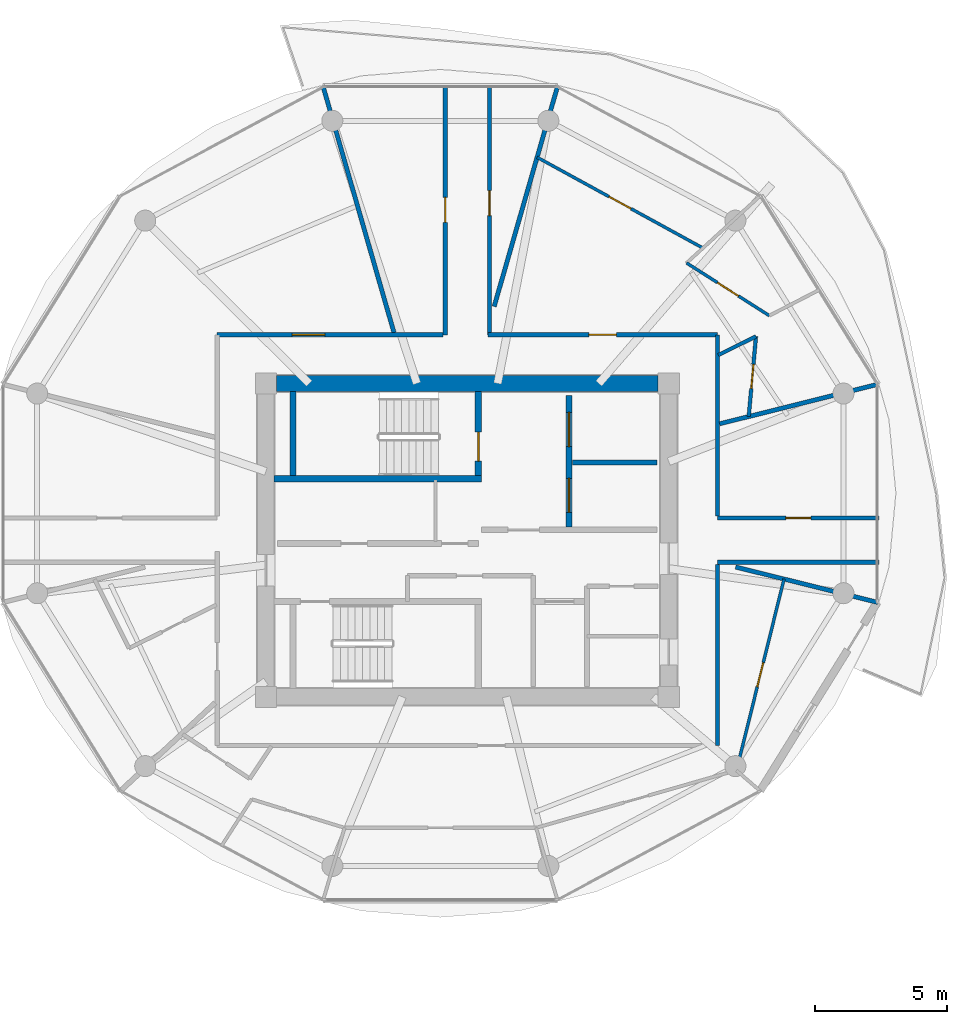
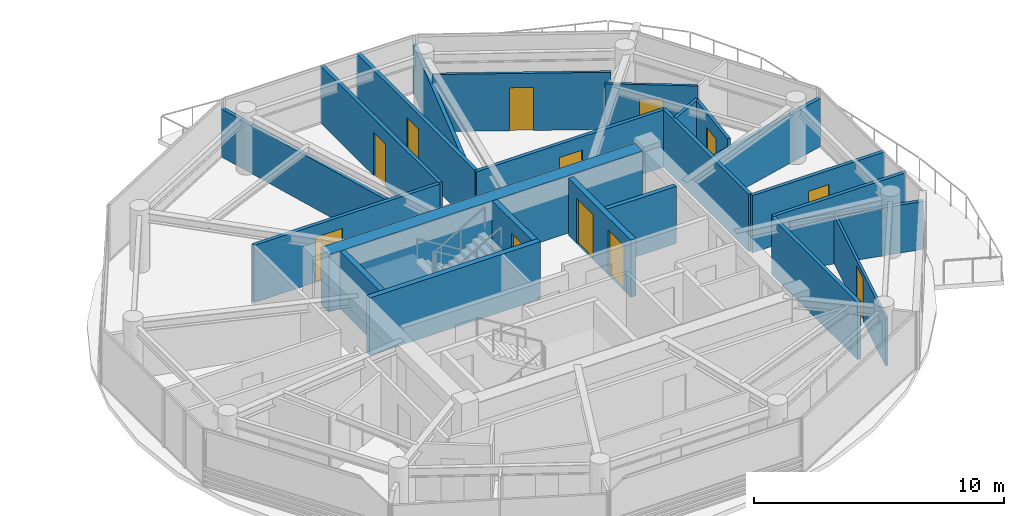
# One storey, part 16 of 22: 23 walls, 12 doors, 12 openings.
"""IFC4 building model written with IfcOpenShell, lengths in metres."""

from ifc_helpers import new_model, si_unit, direction, frame, frame_2d, origin, place, context, subcontext, project, spatial, rectangle, extrude, source, transform, mapped, material, layer, layer_set, type_object, type_shapes, element, fill, save


model = new_model("IFC4")

# Units and contexts
model_context = context("Model", 3, precision=1e-05, world=origin(), true_north=direction((0.0, 1.0)))
body_context = subcontext(model_context, "Body", "Model", "MODEL_VIEW")
ifc_project = project(units=[si_unit("LENGTHUNIT", "METRE"), si_unit("AREAUNIT", "SQUARE_METRE"), si_unit("VOLUMEUNIT", "CUBIC_METRE"), si_unit("PLANEANGLEUNIT", "RADIAN"), si_unit("MASSUNIT", "GRAM", prefix="KILO")], contexts=[model_context])

# Site, building, storey
site_placement = place(None, origin())
site = spatial("IfcSite", under=ifc_project, at=site_placement, CompositionType="ELEMENT")
building_placement = place(site_placement, origin())
building = spatial("IfcBuilding", under=site, at=building_placement, Name="Norrkilde Senior Care Towers", CompositionType="ELEMENT")
storey_placement = place(building_placement, frame((0.0, 0.0, 167.85009765625)))
storey = spatial("IfcBuildingStorey", under=building, at=storey_placement, Name="L52", CompositionType="ELEMENT", Elevation=167.85009765625)

# Wall
ifc_material_1 = material(Name="Concrete C50/60", Category="concrete")
ifc_layer_1 = layer(ifc_material_1, 0.6201171875)
ifc_layer_set_1 = layer_set([ifc_layer_1], Name="Concrete C50/60")
wall_type_1 = type_object("IfcWallType", Name="Core Shear Wall Z3 620", PredefinedType="SHEAR", material=ifc_layer_set_1)
shared_shape_1 = source(origin(), body_context, "Body", "SweptSolid", [
    extrude(rectangle(XDim=14.5, YDim=0.6201171875, at=frame_2d((7.25, 0.0))), origin(), (0.0, 0.0, 1.0), 2.809814453125),
])
type_shapes(wall_type_1, [shared_shape_1])
wall_1_placement = place(storey_placement, frame((20.75, 5.949951171875, 0.0), z_axis=(0.0, 0.0, 1.0), x_axis=(1.0, 0.0, 0.0)))
element("IfcWall", 1, at=wall_1_placement, inside=storey, type_object=wall_type_1, Name="L52 Core E North Shear Wall", PredefinedType="SHEAR", context=body_context, shape_type="MappedRepresentation", body=[
    mapped(shared_shape_1, transform((0.0, 0.0, 0.0), x_axis=(1.0, 0.0, 0.0), y_axis=(0.0, 1.0, 0.0), z_axis=(0.0, 0.0, 1.0), scale=1.0)),
])

# Wall, openings, doors
ifc_material_2 = material(Name="Concrete C45/55", Category="concrete")
ifc_layer_2 = layer(ifc_material_2, 0.239990234375)
ifc_layer_set_2 = layer_set([ifc_layer_2], Name="Concrete C45/55")
wall_type_2 = type_object("IfcWallType", Name="Lift and Plant Rated Enclosure Partition 240", PredefinedType="PARTITIONING", material=ifc_layer_set_2)
shared_shape_2 = source(origin(), body_context, "Body", "SweptSolid", [
    extrude(rectangle(XDim=5.0, YDim=0.239990234375, at=frame_2d((2.5, 0.0))), origin(), (0.0, 0.0, 1.0), 2.794921875),
])
type_shapes(wall_type_2, [shared_shape_2])
wall_2_placement = place(storey_placement, frame((31.860107421875, 0.5, 0.0), z_axis=(0.0, 0.0, 1.0), x_axis=(0.0, 1.0, 0.0)))
wall_2 = element("IfcWall", 2, at=wall_2_placement, inside=storey, type_object=wall_type_2, Name="WL-INT-L52-E-FFLE", PredefinedType="PARTITIONING", context=body_context, shape_type="MappedRepresentation", body=[
    mapped(shared_shape_2, transform((0.0, 0.0, 0.0), x_axis=(1.0, 0.0, 0.0), y_axis=(0.0, 1.0, 0.0), z_axis=(0.0, 0.0, 1.0), scale=1.0)),
])
opening_1_placement = place(wall_2_placement, frame((3.050048828125, 0.0, 0.0)))
opening_1 = element("IfcOpeningElement", 3, at=opening_1_placement, cuts=wall_2, Name="Opening LD-02", PredefinedType="OPENING", context=body_context, shape_type="SweptSolid", body=[
    extrude(rectangle(XDim=1.300048828125, YDim=2.199951171875, at=frame_2d((0.64990234375, 1.10009765625))), frame((0.0, 0.1298828125, 0.0), z_axis=(0.0, -1.0, 0.0), x_axis=(1.0, 0.0, 0.0)), (0.0, 0.0, 1.0), 0.260009765625),
])
opening_2_placement = place(wall_2_placement, frame((0.550048828125, 0.0, 0.0)))
opening_2 = element("IfcOpeningElement", 4, at=opening_2_placement, cuts=wall_2, Name="Opening LD-02", PredefinedType="OPENING", context=body_context, shape_type="SweptSolid", body=[
    extrude(rectangle(XDim=1.300048828125, YDim=2.199951171875, at=frame_2d((0.64990234375, 1.10009765625))), frame((0.0, 0.1298828125, 0.0), z_axis=(0.0, -1.0, 0.0), x_axis=(1.0, 0.0, 0.0)), (0.0, 0.0, 1.0), 0.260009765625),
])
ifc_material_3 = material(Name="Stainless Steel", Category="steel")
door_type_1 = type_object("IfcDoorType", Name="Stretcher and FFL Landing Sliding Door 1300x2200", OperationType="NOTDEFINED", PredefinedType="DOOR", material=ifc_material_3)
shared_shape_3 = source(origin(), body_context, "Body", "SweptSolid", [
    extrude(rectangle(XDim=1.300048828125, YDim=2.199951171875, at=frame_2d((0.64990234375, 1.10009765625))), frame((0.0, 0.02490234375, 0.0), z_axis=(0.0, -1.0, 0.0), x_axis=(1.0, 0.0, 0.0)), (0.0, 0.0, 1.0), 0.050048828125),
])
type_shapes(door_type_1, [shared_shape_3])
door_1_placement = place(opening_1_placement, origin())
door_1 = element("IfcDoor", 5, at=door_1_placement, inside=storey, type_object=door_type_1, Name="L52 Firefighting Lift E1 Landing Door", OperationType="SLIDING_TO_LEFT", OverallHeight=2.199951171875, OverallWidth=1.300048828125, PredefinedType="DOOR", context=body_context, shape_type="MappedRepresentation", body=[
    mapped(shared_shape_3, transform((0.0, 0.0, 0.0), x_axis=(1.0, 0.0, 0.0), y_axis=(0.0, 1.0, 0.0), z_axis=(0.0, 0.0, 1.0), scale=1.0)),
])
fill(opening_1, door_1)
door_2_placement = place(opening_2_placement, origin())
door_2 = element("IfcDoor", 6, at=door_2_placement, inside=storey, type_object=door_type_1, Name="L52 Stretcher Lift E1 Landing Door", OperationType="SLIDING_TO_RIGHT", OverallHeight=2.199951171875, OverallWidth=1.300048828125, PredefinedType="DOOR", context=body_context, shape_type="MappedRepresentation", body=[
    mapped(shared_shape_3, transform((0.0, 0.0, 0.0), x_axis=(1.0, 0.0, 0.0), y_axis=(0.0, 1.0, 0.0), z_axis=(0.0, 0.0, 1.0), scale=1.0)),
])
fill(opening_2, door_2)

# Walls
ifc_layer_3 = layer(ifc_material_2, 0.199951171875)
ifc_layer_set_3 = layer_set([ifc_layer_3], Name="Concrete C45/55")
wall_type_3 = type_object("IfcWallType", Name="Shaft Division and Plant Partition 200", PredefinedType="PARTITIONING", material=ifc_layer_set_3)
shared_shape_4 = source(origin(), body_context, "Body", "SweptSolid", [
    extrude(rectangle(XDim=3.199951171875, YDim=0.199951171875, at=frame_2d((1.60009765625, 0.0))), origin(), (0.0, 0.0, 1.0), 2.794921875),
])
type_shapes(wall_type_3, [shared_shape_4])
wall_3_placement = place(storey_placement, frame((32.0, 2.949951171875, 0.0), z_axis=(0.0, 0.0, 1.0), x_axis=(1.0, 0.0, 0.0)))
element("IfcWall", 7, at=wall_3_placement, inside=storey, type_object=wall_type_3, Name="WL-INT-L52-E-FFLDIV", PredefinedType="PARTITIONING", context=body_context, shape_type="MappedRepresentation", body=[
    mapped(shared_shape_4, transform((0.0, 0.0, 0.0), x_axis=(1.0, 0.0, 0.0), y_axis=(0.0, 1.0, 0.0), z_axis=(0.0, 0.0, 1.0), scale=1.0)),
])
ifc_material_4 = material(Name="Gypsum Acoustic Board")
ifc_layer_4 = layer(ifc_material_4, 0.1650390625)
ifc_layer_set_4 = layer_set([ifc_layer_4], Name="Gypsum Acoustic Board")
wall_type_4 = type_object("IfcWallType", Name="Corridor Rated Partition 165", PredefinedType="PARTITIONING", material=ifc_layer_set_4)
shared_shape_5 = source(origin(), body_context, "Body", "SweptSolid", [
    extrude(rectangle(XDim=9.73046875, YDim=0.1650390625, at=frame_2d((4.865234375, 0.0))), origin(), (0.0, 0.0, 1.0), 2.344970703125),
])
wall_4_placement = place(storey_placement, frame((25.216552734375, 7.8798828125, 0.0), z_axis=(0.0, 0.0, 1.0), x_axis=(-0.27679492614, 0.960929013436, 0.0)))
element("IfcWall", 8, at=wall_4_placement, inside=storey, type_object=wall_type_4, Name="WL-INT-L52-E-DEM-03-0", PredefinedType="PARTITIONING", context=body_context, shape_type="MappedRepresentation", body=[
    mapped(shared_shape_5, transform((0.0, 0.0, 0.0), x_axis=(1.0, 0.0, 0.0), y_axis=(0.0, 1.0, 0.0), z_axis=(0.0, 0.0, 1.0), scale=1.0)),
])

# Wall, opening, door
shared_shape_6 = source(origin(), body_context, "Body", "SweptSolid", [
    extrude(rectangle(XDim=8.719482421875, YDim=0.1650390625, at=frame_2d((4.35986328125, 0.0))), origin(), (0.0, 0.0, 1.0), 2.794921875),
])
wall_5_placement = place(storey_placement, frame((28.780517578125, 7.800048828125, 0.0), z_axis=(0.0, 0.0, 1.0), x_axis=(1.0, 0.0, 0.0)))
wall_5 = element("IfcWall", 9, at=wall_5_placement, inside=storey, type_object=wall_type_4, Name="WL-INT-L52-E-CRW-N-1", PredefinedType="PARTITIONING", context=body_context, shape_type="MappedRepresentation", body=[
    mapped(shared_shape_6, transform((0.0, 0.0, 0.0), x_axis=(1.0, 0.0, 0.0), y_axis=(0.0, 1.0, 0.0), z_axis=(0.0, 0.0, 1.0), scale=1.0)),
])
opening_3_placement = place(wall_5_placement, frame((3.834716796875, 0.0, 0.0)))
opening_3 = element("IfcOpeningElement", 10, at=opening_3_placement, cuts=wall_5, Name="Opening D-06", PredefinedType="OPENING", context=body_context, shape_type="SweptSolid", body=[
    extrude(rectangle(XDim=1.050048828125, YDim=2.14990234375, at=frame_2d((0.52490234375, 1.074951171875))), frame((0.0, 0.092529296875, 0.0), z_axis=(0.0, -1.0, 0.0), x_axis=(1.0, 0.0, 0.0)), (0.0, 0.0, 1.0), 0.18505859375),
])
ifc_material_5 = material(Name="Nordic Ash Timber", Category="wood")
door_type_2 = type_object("IfcDoorType", Name="Apartment Entrance Fire Door 1050x2150", OperationType="NOTDEFINED", PredefinedType="DOOR", material=ifc_material_5)
shared_shape_7 = source(origin(), body_context, "Body", "SweptSolid", [
    extrude(rectangle(XDim=1.050048828125, YDim=2.14990234375, at=frame_2d((0.52490234375, 1.074951171875))), frame((0.0, 0.02490234375, 0.0), z_axis=(0.0, -1.0, 0.0), x_axis=(1.0, 0.0, 0.0)), (0.0, 0.0, 1.0), 0.050048828125),
])
type_shapes(door_type_2, [shared_shape_7])
door_3_placement = place(opening_3_placement, frame((1.050048828125, 0.0, 0.0), z_axis=(0.0, 0.0, 1.0), x_axis=(-1.0, 0.0, 0.0)))
door_3 = element("IfcDoor", 11, at=door_3_placement, inside=storey, type_object=door_type_2, Name="Apartment 52A Entrance Door", OperationType="SINGLE_SWING_LEFT", OverallHeight=2.14990234375, OverallWidth=1.050048828125, PredefinedType="DOOR", context=body_context, shape_type="MappedRepresentation", body=[
    mapped(shared_shape_7, transform((0.0, 0.0, 0.0), x_axis=(1.0, 0.0, 0.0), y_axis=(0.0, 1.0, 0.0), z_axis=(0.0, 0.0, 1.0), scale=1.0)),
])
fill(opening_3, door_3)

ifc_layer_5 = layer(ifc_material_4, 0.114990234375)
ifc_layer_set_5 = layer_set([ifc_layer_5], Name="Gypsum Acoustic Board")
wall_type_5 = type_object("IfcWallType", Name="Internal Room Partition 115", PredefinedType="PARTITIONING", material=ifc_layer_set_5)
shared_shape_8 = source(origin(), body_context, "Body", "SweptSolid", [
    extrude(rectangle(XDim=7.166748046875, YDim=0.114990234375, at=frame_2d((3.58349609375, 0.0))), origin(), (0.0, 0.0, 1.0), 2.794921875),
])
wall_6_placement = place(storey_placement, frame((36.93896484375, 11.097900390625, 0.0), z_axis=(0.0, 0.0, 1.0), x_axis=(-0.8771628907, 0.480192943699, 0.0)))
wall_6 = element("IfcWall", 12, at=wall_6_placement, inside=storey, type_object=wall_type_5, Name="WL-INT-L52-E-UBC-00-1", PredefinedType="PARTITIONING", context=body_context, shape_type="MappedRepresentation", body=[
    mapped(shared_shape_8, transform((0.0, 0.0, 0.0), x_axis=(1.0, 0.0, 0.0), y_axis=(0.0, 1.0, 0.0), z_axis=(0.0, 0.0, 1.0), scale=1.0)),
])
opening_4_placement = place(wall_6_placement, frame((3.1083984375, 0.0, 0.0)))
opening_4 = element("IfcOpeningElement", 13, at=opening_4_placement, cuts=wall_6, Name="Opening D-07", PredefinedType="OPENING", context=body_context, shape_type="SweptSolid", body=[
    extrude(rectangle(XDim=0.949951171875, YDim=2.10009765625, at=frame_2d((0.47509765625, 1.050048828125))), frame((0.0, 0.0673828125, 0.0), z_axis=(0.0, -1.0, 0.0), x_axis=(1.0, 0.0, 0.0)), (0.0, 0.0, 1.0), 0.135009765625),
])
door_type_3 = type_object("IfcDoorType", Name="Internal Suite Bedroom Door 950x2100", OperationType="NOTDEFINED", PredefinedType="DOOR", material=ifc_material_5)
shared_shape_9 = source(origin(), body_context, "Body", "SweptSolid", [
    extrude(rectangle(XDim=0.949951171875, YDim=2.10009765625, at=frame_2d((0.47509765625, 1.050048828125))), frame((0.0, 0.02490234375, 0.0), z_axis=(0.0, -1.0, 0.0), x_axis=(1.0, 0.0, 0.0)), (0.0, 0.0, 1.0), 0.050048828125),
])
type_shapes(door_type_3, [shared_shape_9])
door_4_placement = place(opening_4_placement, origin())
door_4 = element("IfcDoor", 14, at=door_4_placement, inside=storey, type_object=door_type_3, Name="Apartment 52A Bedroom 1 Door", OperationType="SINGLE_SWING_RIGHT", OverallHeight=2.10009765625, OverallWidth=0.949951171875, PredefinedType="DOOR", context=body_context, shape_type="MappedRepresentation", body=[
    mapped(shared_shape_9, transform((0.0, 0.0, 0.0), x_axis=(1.0, 0.0, 0.0), y_axis=(0.0, 1.0, 0.0), z_axis=(0.0, 0.0, 1.0), scale=1.0)),
])
fill(opening_4, door_4)

# Walls
ifc_layer_6 = layer(ifc_material_2, 0.239990234375)
ifc_layer_set_6 = layer_set([ifc_layer_6], Name="Concrete C45/55")
wall_type_6 = type_object("IfcWallType", Name="Shaft and Stair Enclosure Wall 240", PredefinedType="PARTITIONING", material=ifc_layer_set_6)
shared_shape_10 = source(origin(), body_context, "Body", "SweptSolid", [
    extrude(rectangle(XDim=7.880126953125, YDim=0.239990234375, at=frame_2d((3.93994140625, 0.0))), origin(), (0.0, 0.0, 1.0), 2.809814453125),
])
wall_7_placement = place(storey_placement, frame((20.659912109375, 2.330078125, 0.0), z_axis=(0.0, 0.0, 1.0), x_axis=(1.0, 0.0, 0.0)))
element("IfcWall", 15, at=wall_7_placement, inside=storey, type_object=wall_type_6, Name="WL-INT-L52-E-ST1S", PredefinedType="PARTITIONING", context=body_context, shape_type="MappedRepresentation", body=[
    mapped(shared_shape_10, transform((0.0, 0.0, 0.0), x_axis=(1.0, 0.0, 0.0), y_axis=(0.0, 1.0, 0.0), z_axis=(0.0, 0.0, 1.0), scale=1.0)),
])
shared_shape_11 = source(origin(), body_context, "Body", "SweptSolid", [
    extrude(rectangle(XDim=3.18994140625, YDim=0.239990234375, at=frame_2d((1.594970703125, 0.0))), origin(), (0.0, 0.0, 1.0), 2.809814453125),
])
type_shapes(wall_type_6, [shared_shape_10, shared_shape_11])
wall_8_placement = place(storey_placement, frame((21.3798828125, 2.449951171875, 0.0), z_axis=(0.0, 0.0, 1.0), x_axis=(0.0, 1.0, 0.0)))
element("IfcWall", 16, at=wall_8_placement, inside=storey, type_object=wall_type_6, Name="WL-INT-L52-E-ST1W", PredefinedType="PARTITIONING", context=body_context, shape_type="MappedRepresentation", body=[
    mapped(shared_shape_11, transform((0.0, 0.0, 0.0), x_axis=(1.0, 0.0, 0.0), y_axis=(0.0, 1.0, 0.0), z_axis=(0.0, 0.0, 1.0), scale=1.0)),
])

# Wall, opening, door
wall_9_placement = place(storey_placement, frame((28.419921875, 2.449951171875, 0.0), z_axis=(0.0, 0.0, 1.0), x_axis=(0.0, 1.0, 0.0)))
wall_9 = element("IfcWall", 17, at=wall_9_placement, inside=storey, type_object=wall_type_6, Name="WL-INT-L52-E-ST1E", PredefinedType="PARTITIONING", context=body_context, shape_type="MappedRepresentation", body=[
    mapped(shared_shape_11, transform((0.0, 0.0, 0.0), x_axis=(1.0, 0.0, 0.0), y_axis=(0.0, 1.0, 0.0), z_axis=(0.0, 0.0, 1.0), scale=1.0)),
])
opening_5_placement = place(wall_9_placement, frame((0.550048828125, 0.0, 0.0)))
opening_5 = element("IfcOpeningElement", 18, at=opening_5_placement, cuts=wall_9, Name="Opening D-03", PredefinedType="OPENING", context=body_context, shape_type="SweptSolid", body=[
    extrude(rectangle(XDim=1.10009765625, YDim=2.14990234375, at=frame_2d((0.550048828125, 1.074951171875))), frame((0.0, 0.1298828125, 0.0), z_axis=(0.0, -1.0, 0.0), x_axis=(1.0, 0.0, 0.0)), (0.0, 0.0, 1.0), 0.260009765625),
])
ifc_material_6 = material(Name="Galvanised Painted Steel", Category="steel")
door_type_4 = type_object("IfcDoorType", Name="Stairwell Protected Fire Door 1100x2150", OperationType="NOTDEFINED", PredefinedType="DOOR", material=ifc_material_6)
shared_shape_12 = source(origin(), body_context, "Body", "SweptSolid", [
    extrude(rectangle(XDim=1.10009765625, YDim=2.14990234375, at=frame_2d((0.550048828125, 1.074951171875))), frame((0.0, 0.02490234375, 0.0), z_axis=(0.0, -1.0, 0.0), x_axis=(1.0, 0.0, 0.0)), (0.0, 0.0, 1.0), 0.050048828125),
])
type_shapes(door_type_4, [shared_shape_12])
door_5_placement = place(opening_5_placement, origin())
door_5 = element("IfcDoor", 19, at=door_5_placement, inside=storey, type_object=door_type_4, Name="L52 Stair E1 Fire Door", OperationType="SINGLE_SWING_LEFT", OverallHeight=2.14990234375, OverallWidth=1.10009765625, PredefinedType="DOOR", context=body_context, shape_type="MappedRepresentation", body=[
    mapped(shared_shape_12, transform((0.0, 0.0, 0.0), x_axis=(1.0, 0.0, 0.0), y_axis=(0.0, 1.0, 0.0), z_axis=(0.0, 0.0, 1.0), scale=1.0)),
])
fill(opening_5, door_5)

# Walls
shared_shape_13 = source(origin(), body_context, "Body", "SweptSolid", [
    extrude(rectangle(XDim=8.695068359375, YDim=0.1650390625, at=frame_2d((4.34765625, 0.0))), origin(), (0.0, 0.0, 1.0), 2.344970703125),
])
wall_10_placement = place(storey_placement, frame((29.02001953125, 8.875, 0.0), z_axis=(0.0, 0.0, 1.0), x_axis=(0.276797231892, 0.960928349263, 0.0)))
element("IfcWall", 20, at=wall_10_placement, inside=storey, type_object=wall_type_4, Name="WL-INT-L52-E-DEM-02-0", PredefinedType="PARTITIONING", context=body_context, shape_type="MappedRepresentation", body=[
    mapped(shared_shape_13, transform((0.0, 0.0, 0.0), x_axis=(1.0, 0.0, 0.0), y_axis=(0.0, 1.0, 0.0), z_axis=(0.0, 0.0, 1.0), scale=1.0)),
])
shared_shape_14 = source(origin(), body_context, "Body", "SweptSolid", [
    extrude(rectangle(XDim=6.192626953125, YDim=0.1650390625, at=frame_2d((3.09619140625, 0.0))), origin(), (0.0, 0.0, 1.0), 2.344970703125),
])
wall_11_placement = place(storey_placement, frame((37.580078125, 4.418701171875, 0.0), z_axis=(0.0, 0.0, 1.0), x_axis=(0.970309243466, 0.241867674657, 0.0)))
element("IfcWall", 21, at=wall_11_placement, inside=storey, type_object=wall_type_4, Name="WL-INT-L52-E-DEM-00-0", PredefinedType="PARTITIONING", context=body_context, shape_type="MappedRepresentation", body=[
    mapped(shared_shape_14, transform((0.0, 0.0, 0.0), x_axis=(1.0, 0.0, 0.0), y_axis=(0.0, 1.0, 0.0), z_axis=(0.0, 0.0, 1.0), scale=1.0)),
])
shared_shape_15 = source(origin(), body_context, "Body", "SweptSolid", [
    extrude(rectangle(XDim=5.564208984375, YDim=0.1650390625, at=frame_2d((2.7822265625, 0.0))), origin(), (0.0, 0.0, 1.0), 2.344970703125),
])
wall_12_placement = place(storey_placement, frame((38.18994140625, -1.02001953125, 0.0), z_axis=(0.0, 0.0, 1.0), x_axis=(0.97031260977, -0.241854169533, 0.0)))
element("IfcWall", 22, at=wall_12_placement, inside=storey, type_object=wall_type_4, Name="WL-INT-L52-E-DEM-11-0", PredefinedType="PARTITIONING", context=body_context, shape_type="MappedRepresentation", body=[
    mapped(shared_shape_15, transform((0.0, 0.0, 0.0), x_axis=(1.0, 0.0, 0.0), y_axis=(0.0, 1.0, 0.0), z_axis=(0.0, 0.0, 1.0), scale=1.0)),
])

# Wall, opening, door
shared_shape_16 = source(origin(), body_context, "Body", "SweptSolid", [
    extrude(rectangle(XDim=8.580078125, YDim=0.1650390625, at=frame_2d((4.2900390625, 0.0))), origin(), (0.0, 0.0, 1.0), 2.794921875),
])
wall_13_placement = place(storey_placement, frame((18.5, 7.800048828125, 0.0), z_axis=(0.0, 0.0, 1.0), x_axis=(1.0, 0.0, 0.0)))
wall_13 = element("IfcWall", 23, at=wall_13_placement, inside=storey, type_object=wall_type_4, Name="WL-INT-L52-E-CRW-N-0", PredefinedType="PARTITIONING", context=body_context, shape_type="MappedRepresentation", body=[
    mapped(shared_shape_16, transform((0.0, 0.0, 0.0), x_axis=(1.0, 0.0, 0.0), y_axis=(0.0, 1.0, 0.0), z_axis=(0.0, 0.0, 1.0), scale=1.0)),
])
opening_6_placement = place(wall_13_placement, frame((2.8427734375, 0.0, 0.0)))
opening_6 = element("IfcOpeningElement", 24, at=opening_6_placement, cuts=wall_13, Name="Opening D-05", PredefinedType="OPENING", context=body_context, shape_type="SweptSolid", body=[
    extrude(rectangle(XDim=1.25, YDim=2.199951171875, at=frame_2d((0.625, 1.10009765625))), frame((0.0, 0.092529296875, 0.0), z_axis=(0.0, -1.0, 0.0), x_axis=(1.0, 0.0, 0.0)), (0.0, 0.0, 1.0), 0.18505859375),
])
door_type_5 = type_object("IfcDoorType", Name="Care Bedroom Bariatric Door 1250x2200", OperationType="NOTDEFINED", PredefinedType="DOOR", material=ifc_material_5)
shared_shape_17 = source(origin(), body_context, "Body", "SweptSolid", [
    extrude(rectangle(XDim=1.25, YDim=2.199951171875, at=frame_2d((0.625, 1.10009765625))), frame((0.0, 0.02490234375, 0.0), z_axis=(0.0, -1.0, 0.0), x_axis=(1.0, 0.0, 0.0)), (0.0, 0.0, 1.0), 0.050048828125),
])
type_shapes(door_type_5, [shared_shape_17])
door_6_placement = place(opening_6_placement, frame((1.25, 0.0, 0.0), z_axis=(0.0, 0.0, 1.0), x_axis=(-1.0, 0.0, 0.0)))
door_6 = element("IfcDoor", 25, at=door_6_placement, inside=storey, type_object=door_type_5, Name="L52 Care Coordination Charting Office Door", OperationType="SINGLE_SWING_RIGHT", OverallHeight=2.199951171875, OverallWidth=1.25, PredefinedType="DOOR", context=body_context, shape_type="MappedRepresentation", body=[
    mapped(shared_shape_17, transform((0.0, 0.0, 0.0), x_axis=(1.0, 0.0, 0.0), y_axis=(0.0, 1.0, 0.0), z_axis=(0.0, 0.0, 1.0), scale=1.0)),
])
fill(opening_6, door_6)

# Walls
shared_shape_18 = source(origin(), body_context, "Body", "SweptSolid", [
    extrude(rectangle(XDim=6.880126953125, YDim=0.1650390625, at=frame_2d((3.43994140625, 0.0))), origin(), (0.0, 0.0, 1.0), 2.794921875),
])
for number, where, z_axis, x_axis, name in (
    (26, (37.5, 7.800048828125, 0.0), (0.0, 0.0, 1.0), (0.0, -1.0, 0.0), "WL-INT-L52-E-CRW-E-0"),
    (27, (37.5, -0.919921875, 0.0), (0.0, 0.0, 1.0), (0.0, -1.0, 0.0), "WL-INT-L52-E-CRW-E-1"),
):
    element("IfcWall", number, at=place(storey_placement, frame(where, z_axis=z_axis, x_axis=x_axis)), inside=storey, type_object=wall_type_4, Name=name, PredefinedType="PARTITIONING", context=body_context, shape_type="MappedRepresentation", body=[
        mapped(shared_shape_18, transform((0.0, 0.0, 0.0), x_axis=(1.0, 0.0, 0.0), y_axis=(0.0, 1.0, 0.0), z_axis=(0.0, 0.0, 1.0), scale=1.0)),
    ])

# Wall, opening, door
shared_shape_19 = source(origin(), body_context, "Body", "SweptSolid", [
    extrude(rectangle(XDim=9.480224609375, YDim=0.1650390625, at=frame_2d((4.740234375, 0.0))), origin(), (0.0, 0.0, 1.0), 2.794921875),
])
wall_14_placement = place(storey_placement, frame((27.159912109375, 7.800048828125, 0.0), z_axis=(0.0, 0.0, 1.0), x_axis=(0.0, 1.0, 0.0)))
wall_14 = element("IfcWall", 28, at=wall_14_placement, inside=storey, type_object=wall_type_4, Name="WL-INT-L52-E-SPK-N1-0", PredefinedType="PARTITIONING", context=body_context, shape_type="MappedRepresentation", body=[
    mapped(shared_shape_19, transform((0.0, 0.0, 0.0), x_axis=(1.0, 0.0, 0.0), y_axis=(0.0, 1.0, 0.0), z_axis=(0.0, 0.0, 1.0), scale=1.0)),
])
opening_7_placement = place(wall_14_placement, frame((4.26513671875, 0.0, 0.0)))
opening_7 = element("IfcOpeningElement", 29, at=opening_7_placement, cuts=wall_14, Name="Opening D-07", PredefinedType="OPENING", context=body_context, shape_type="SweptSolid", body=[
    extrude(rectangle(XDim=0.949951171875, YDim=2.10009765625, at=frame_2d((0.47509765625, 1.050048828125))), frame((0.0, 0.092529296875, 0.0), z_axis=(0.0, -1.0, 0.0), x_axis=(1.0, 0.0, 0.0)), (0.0, 0.0, 1.0), 0.18505859375),
])
door_7_placement = place(opening_7_placement, frame((0.949951171875, 0.0, 0.0), z_axis=(0.0, 0.0, 1.0), x_axis=(-1.0, 0.0, 0.0)))
door_7 = element("IfcDoor", 30, at=door_7_placement, inside=storey, type_object=door_type_3, Name="L52 Sun Reading Lounge 3 Door", OperationType="SINGLE_SWING_RIGHT", OverallHeight=2.10009765625, OverallWidth=0.949951171875, PredefinedType="DOOR", context=body_context, shape_type="MappedRepresentation", body=[
    mapped(shared_shape_9, transform((0.0, 0.0, 0.0), x_axis=(1.0, 0.0, 0.0), y_axis=(0.0, 1.0, 0.0), z_axis=(0.0, 0.0, 1.0), scale=1.0)),
])
fill(opening_7, door_7)

wall_15_placement = place(storey_placement, frame((28.840087890625, 17.2802734375, 0.0), z_axis=(0.0, 0.0, 1.0), x_axis=(0.0, -1.0, 0.0)))
wall_15 = element("IfcWall", 31, at=wall_15_placement, inside=storey, type_object=wall_type_4, Name="WL-INT-L52-E-SPK-N2-0", PredefinedType="PARTITIONING", context=body_context, shape_type="MappedRepresentation", body=[
    mapped(shared_shape_19, transform((0.0, 0.0, 0.0), x_axis=(1.0, 0.0, 0.0), y_axis=(0.0, 1.0, 0.0), z_axis=(0.0, 0.0, 1.0), scale=1.0)),
])
opening_8_placement = place(wall_15_placement, frame((4.009765625, 0.0, 0.0)))
opening_8 = element("IfcOpeningElement", 32, at=opening_8_placement, cuts=wall_15, Name="Opening D-07", PredefinedType="OPENING", context=body_context, shape_type="SweptSolid", body=[
    extrude(rectangle(XDim=0.949951171875, YDim=2.10009765625, at=frame_2d((0.47509765625, 1.050048828125))), frame((0.0, 0.092529296875, 0.0), z_axis=(0.0, -1.0, 0.0), x_axis=(1.0, 0.0, 0.0)), (0.0, 0.0, 1.0), 0.18505859375),
])
door_8_placement = place(opening_8_placement, frame((0.949951171875, 0.0, 0.0), z_axis=(0.0, 0.0, 1.0), x_axis=(-1.0, 0.0, 0.0)))
door_8 = element("IfcDoor", 33, at=door_8_placement, inside=storey, type_object=door_type_3, Name="L52 Sun Reading Lounge 4 Door", OperationType="SINGLE_SWING_LEFT", OverallHeight=2.10009765625, OverallWidth=0.949951171875, PredefinedType="DOOR", context=body_context, shape_type="MappedRepresentation", body=[
    mapped(shared_shape_9, transform((0.0, 0.0, 0.0), x_axis=(1.0, 0.0, 0.0), y_axis=(0.0, 1.0, 0.0), z_axis=(0.0, 0.0, 1.0), scale=1.0)),
])
fill(opening_8, door_8)

shared_shape_20 = source(origin(), body_context, "Body", "SweptSolid", [
    extrude(rectangle(XDim=6.138916015625, YDim=0.1650390625, at=frame_2d((3.0693359375, 0.0))), origin(), (0.0, 0.0, 1.0), 2.794921875),
])
type_shapes(wall_type_4, [shared_shape_5, shared_shape_6, shared_shape_13, shared_shape_14, shared_shape_15, shared_shape_16, shared_shape_18, shared_shape_19, shared_shape_20])
wall_16_placement = place(storey_placement, frame((37.5, 0.840087890625, 0.0), z_axis=(0.0, 0.0, 1.0), x_axis=(1.0, 0.0, 0.0)))
wall_16 = element("IfcWall", 34, at=wall_16_placement, inside=storey, type_object=wall_type_4, Name="WL-INT-L52-E-SPK-E1-0", PredefinedType="PARTITIONING", context=body_context, shape_type="MappedRepresentation", body=[
    mapped(shared_shape_20, transform((0.0, 0.0, 0.0), x_axis=(1.0, 0.0, 0.0), y_axis=(0.0, 1.0, 0.0), z_axis=(0.0, 0.0, 1.0), scale=1.0)),
])
opening_9_placement = place(wall_16_placement, frame((2.594482421875, 0.0, 0.0)))
opening_9 = element("IfcOpeningElement", 35, at=opening_9_placement, cuts=wall_16, Name="Opening D-07", PredefinedType="OPENING", context=body_context, shape_type="SweptSolid", body=[
    extrude(rectangle(XDim=0.949951171875, YDim=2.10009765625, at=frame_2d((0.47509765625, 1.050048828125))), frame((0.0, 0.092529296875, 0.0), z_axis=(0.0, -1.0, 0.0), x_axis=(1.0, 0.0, 0.0)), (0.0, 0.0, 1.0), 0.18505859375),
])
door_9_placement = place(opening_9_placement, frame((0.949951171875, 0.0, 0.0), z_axis=(0.0, 0.0, 1.0), x_axis=(-1.0, 0.0, 0.0)))
door_9 = element("IfcDoor", 36, at=door_9_placement, inside=storey, type_object=door_type_3, Name="L52 Sun Reading Lounge 5 Door", OperationType="SINGLE_SWING_RIGHT", OverallHeight=2.10009765625, OverallWidth=0.949951171875, PredefinedType="DOOR", context=body_context, shape_type="MappedRepresentation", body=[
    mapped(shared_shape_9, transform((0.0, 0.0, 0.0), x_axis=(1.0, 0.0, 0.0), y_axis=(0.0, 1.0, 0.0), z_axis=(0.0, 0.0, 1.0), scale=1.0)),
])
fill(opening_9, door_9)

# Walls
wall_17_placement = place(storey_placement, frame((43.638916015625, -0.840087890625, 0.0), z_axis=(0.0, 0.0, 1.0), x_axis=(-1.0, 0.0, 0.0)))
element("IfcWall", 37, at=wall_17_placement, inside=storey, type_object=wall_type_4, Name="WL-INT-L52-E-SPK-E2-0", PredefinedType="PARTITIONING", context=body_context, shape_type="MappedRepresentation", body=[
    mapped(shared_shape_20, transform((0.0, 0.0, 0.0), x_axis=(1.0, 0.0, 0.0), y_axis=(0.0, 1.0, 0.0), z_axis=(0.0, 0.0, 1.0), scale=1.0)),
])
ifc_layer_7 = layer(ifc_material_4, 0.139892578125)
ifc_layer_set_7 = layer_set([ifc_layer_7], Name="Gypsum Acoustic Board")
wall_type_7 = type_object("IfcWallType", Name="En-suite Wet Room Wall 140", PredefinedType="PARTITIONING", material=ifc_layer_set_7)
shared_shape_21 = source(origin(), body_context, "Body", "SweptSolid", [
    extrude(rectangle(XDim=1.601318359375, YDim=0.139892578125, at=frame_2d((0.80078125, 0.0))), origin(), (0.0, 0.0, 1.0), 2.794921875),
])
wall_18_placement = place(storey_placement, frame((37.530029296875, 7.026123046875, 0.0), z_axis=(0.0, 0.0, 1.0), x_axis=(0.895279369592, 0.445505163138, 0.0)))
element("IfcWall", 38, at=wall_18_placement, inside=storey, type_object=wall_type_7, Name="WL-INT-L52-E-UBTS-00", PredefinedType="PARTITIONING", context=body_context, shape_type="MappedRepresentation", body=[
    mapped(shared_shape_21, transform((0.0, 0.0, 0.0), x_axis=(1.0, 0.0, 0.0), y_axis=(0.0, 1.0, 0.0), z_axis=(0.0, 0.0, 1.0), scale=1.0)),
])

# Wall, opening, door
shared_shape_22 = source(origin(), body_context, "Body", "SweptSolid", [
    extrude(rectangle(XDim=3.057861328125, YDim=0.139892578125, at=frame_2d((1.52880859375, 0.0))), origin(), (0.0, 0.0, 1.0), 2.794921875),
])
type_shapes(wall_type_7, [shared_shape_21, shared_shape_22])
wall_19_placement = place(storey_placement, frame((38.963623046875, 7.739501953125, 0.0), z_axis=(0.0, 0.0, 1.0), x_axis=(-0.090060616512, -0.99593628579, 0.0)))
wall_19 = element("IfcWall", 39, at=wall_19_placement, inside=storey, type_object=wall_type_7, Name="WL-INT-L52-E-UBTF-00", PredefinedType="PARTITIONING", context=body_context, shape_type="MappedRepresentation", body=[
    mapped(shared_shape_22, transform((0.0, 0.0, 0.0), x_axis=(1.0, 0.0, 0.0), y_axis=(0.0, 1.0, 0.0), z_axis=(0.0, 0.0, 1.0), scale=1.0)),
])
opening_10_placement = place(wall_19_placement, frame((1.06884765625, 0.0, 0.0)))
opening_10 = element("IfcOpeningElement", 40, at=opening_10_placement, cuts=wall_19, Name="Opening D-08", PredefinedType="OPENING", context=body_context, shape_type="SweptSolid", body=[
    extrude(rectangle(XDim=0.919921875, YDim=2.10009765625, at=frame_2d((0.4599609375, 1.050048828125))), frame((0.0, 0.079833984375, 0.0), z_axis=(0.0, -1.0, 0.0), x_axis=(1.0, 0.0, 0.0)), (0.0, 0.0, 1.0), 0.159912109375),
])
door_type_6 = type_object("IfcDoorType", Name="Accessible Wet Room Door 920x2100", OperationType="NOTDEFINED", PredefinedType="DOOR", material=ifc_material_5)
shared_shape_23 = source(origin(), body_context, "Body", "SweptSolid", [
    extrude(rectangle(XDim=0.919921875, YDim=2.10009765625, at=frame_2d((0.4599609375, 1.050048828125))), frame((0.0, 0.02490234375, 0.0), z_axis=(0.0, -1.0, 0.0), x_axis=(1.0, 0.0, 0.0)), (0.0, 0.0, 1.0), 0.050048828125),
])
type_shapes(door_type_6, [shared_shape_23])
door_10_placement = place(opening_10_placement, origin())
door_10 = element("IfcDoor", 41, at=door_10_placement, inside=storey, type_object=door_type_6, Name="Apartment 52A Bathroom Door", OperationType="SINGLE_SWING_RIGHT", OverallHeight=2.10009765625, OverallWidth=0.919921875, PredefinedType="DOOR", context=body_context, shape_type="MappedRepresentation", body=[
    mapped(shared_shape_23, transform((0.0, 0.0, 0.0), x_axis=(1.0, 0.0, 0.0), y_axis=(0.0, 1.0, 0.0), z_axis=(0.0, 0.0, 1.0), scale=1.0)),
])
fill(opening_10, door_10)

shared_shape_24 = source(origin(), body_context, "Body", "SweptSolid", [
    extrude(rectangle(XDim=3.725341796875, YDim=0.114990234375, at=frame_2d((1.86279296875, 0.0))), origin(), (0.0, 0.0, 1.0), 2.794921875),
])
wall_20_placement = place(storey_placement, frame((39.470703125, 8.525390625, 0.0), z_axis=(0.0, 0.0, 1.0), x_axis=(-0.843453635564, 0.537201977523, 0.0)))
wall_20 = element("IfcWall", 42, at=wall_20_placement, inside=storey, type_object=wall_type_5, Name="WL-INT-L52-E-UKTF-00", PredefinedType="PARTITIONING", context=body_context, shape_type="MappedRepresentation", body=[
    mapped(shared_shape_24, transform((0.0, 0.0, 0.0), x_axis=(1.0, 0.0, 0.0), y_axis=(0.0, 1.0, 0.0), z_axis=(0.0, 0.0, 1.0), scale=1.0)),
])
opening_11_placement = place(wall_20_placement, frame((1.3876953125, 0.0, 0.0)))
opening_11 = element("IfcOpeningElement", 43, at=opening_11_placement, cuts=wall_20, Name="Opening D-07", PredefinedType="OPENING", context=body_context, shape_type="SweptSolid", body=[
    extrude(rectangle(XDim=0.949951171875, YDim=2.10009765625, at=frame_2d((0.47509765625, 1.050048828125))), frame((0.0, 0.0673828125, 0.0), z_axis=(0.0, -1.0, 0.0), x_axis=(1.0, 0.0, 0.0)), (0.0, 0.0, 1.0), 0.135009765625),
])
door_11_placement = place(opening_11_placement, frame((0.949951171875, 0.0, 0.0), z_axis=(0.0, 0.0, 1.0), x_axis=(-1.0, 0.0, 0.0)))
door_11 = element("IfcDoor", 44, at=door_11_placement, inside=storey, type_object=door_type_3, Name="Apartment 52A Kitchen Door", OperationType="SINGLE_SWING_LEFT", OverallHeight=2.10009765625, OverallWidth=0.949951171875, PredefinedType="DOOR", context=body_context, shape_type="MappedRepresentation", body=[
    mapped(shared_shape_9, transform((0.0, 0.0, 0.0), x_axis=(1.0, 0.0, 0.0), y_axis=(0.0, 1.0, 0.0), z_axis=(0.0, 0.0, 1.0), scale=1.0)),
])
fill(opening_11, door_11)

shared_shape_25 = source(origin(), body_context, "Body", "SweptSolid", [
    extrude(rectangle(XDim=7.491943359375, YDim=0.114990234375, at=frame_2d((3.74609375, 0.0))), origin(), (0.0, 0.0, 1.0), 2.344970703125),
])
type_shapes(wall_type_5, [shared_shape_8, shared_shape_24, shared_shape_25])
wall_21_placement = place(storey_placement, frame((38.223388671875, -8.748779296875, 0.0), z_axis=(0.0, 0.0, 1.0), x_axis=(0.24104782819, 0.970513237686, 0.0)))
wall_21 = element("IfcWall", 45, at=wall_21_placement, inside=storey, type_object=wall_type_5, Name="WL-INT-L52-E-UBC-07-3", PredefinedType="PARTITIONING", context=body_context, shape_type="MappedRepresentation", body=[
    mapped(shared_shape_25, transform((0.0, 0.0, 0.0), x_axis=(1.0, 0.0, 0.0), y_axis=(0.0, 1.0, 0.0), z_axis=(0.0, 0.0, 1.0), scale=1.0)),
])
opening_12_placement = place(wall_21_placement, frame((3.27099609375, 0.0, 0.0)))
opening_12 = element("IfcOpeningElement", 46, at=opening_12_placement, cuts=wall_21, Name="Opening D-07", PredefinedType="OPENING", context=body_context, shape_type="SweptSolid", body=[
    extrude(rectangle(XDim=0.949951171875, YDim=2.10009765625, at=frame_2d((0.47509765625, 1.050048828125))), frame((0.0, 0.0673828125, 0.0), z_axis=(0.0, -1.0, 0.0), x_axis=(1.0, 0.0, 0.0)), (0.0, 0.0, 1.0), 0.135009765625),
])
door_12_placement = place(opening_12_placement, origin())
door_12 = element("IfcDoor", 47, at=door_12_placement, inside=storey, type_object=door_type_3, Name="Apartment 52D Bedroom 3 Door", OperationType="SINGLE_SWING_LEFT", OverallHeight=2.10009765625, OverallWidth=0.949951171875, PredefinedType="DOOR", context=body_context, shape_type="MappedRepresentation", body=[
    mapped(shared_shape_9, transform((0.0, 0.0, 0.0), x_axis=(1.0, 0.0, 0.0), y_axis=(0.0, 1.0, 0.0), z_axis=(0.0, 0.0, 1.0), scale=1.0)),
])
fill(opening_12, door_12)

save(model, "model.ifc")
